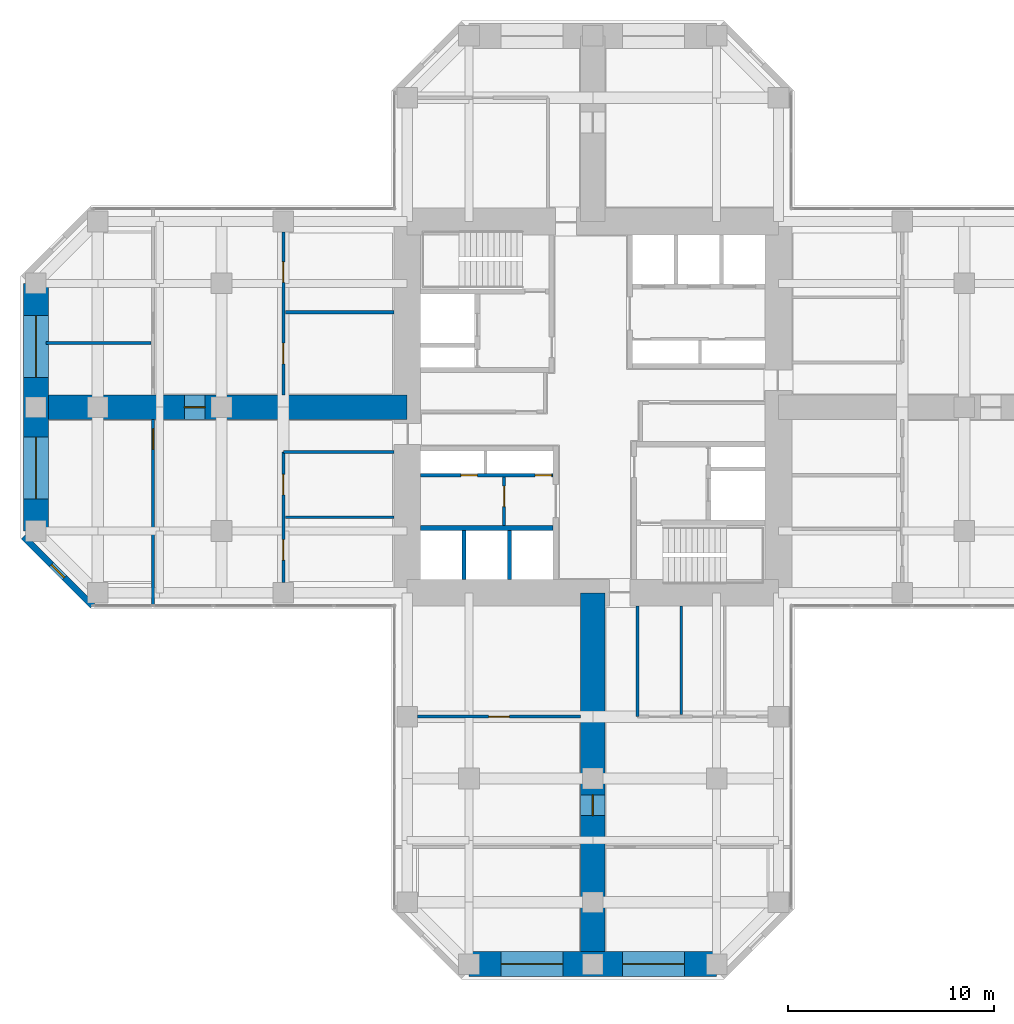
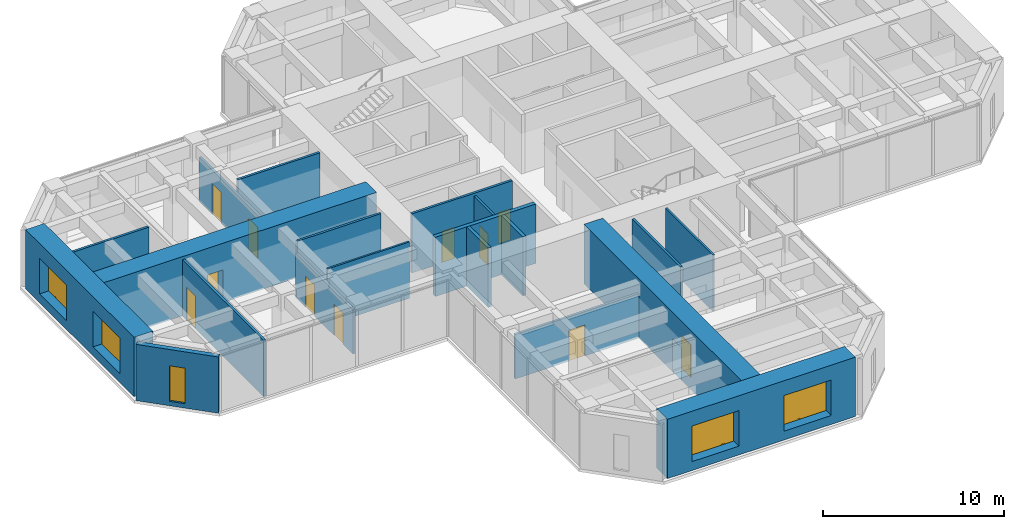
# One storey, part 8 of 13: 20 walls, 11 doors, 5 windows, 16 openings.
"""IFC4 building model written with IfcOpenShell, lengths in metres."""

from ifc_helpers import new_model, si_unit, direction, frame, frame_2d, origin, place, context, subcontext, project, spatial, rectangle, hollow_rectangle, extrude, material, layer, layer_set, constituent, constituent_set, type_object, element, fill, save


model = new_model("IFC4")

# Units and contexts
model_context = context("Model", 3, precision=1e-05, world=origin(), true_north=direction((0.0, 1.0)))
body_context = subcontext(model_context, "Body", "Model", "MODEL_VIEW")
ifc_project = project(units=[si_unit("LENGTHUNIT", "METRE"), si_unit("AREAUNIT", "SQUARE_METRE"), si_unit("VOLUMEUNIT", "CUBIC_METRE"), si_unit("PLANEANGLEUNIT", "RADIAN"), si_unit("MASSUNIT", "GRAM", prefix="KILO")], contexts=[model_context])

# Site, building, storey
site_placement = place(None, origin())
site = spatial("IfcSite", under=ifc_project, at=site_placement, CompositionType="ELEMENT")
building_placement = place(site_placement, origin())
building = spatial("IfcBuilding", under=site, at=building_placement, Name="Torre Cruceta", CompositionType="ELEMENT")
storey_placement = place(building_placement, frame((0.0, 0.0, 132.5)))
storey = spatial("IfcBuildingStorey", under=building, at=storey_placement, Name="L32", CompositionType="ELEMENT", Elevation=132.5)

# Wall
ifc_material_1 = material(Name="Concrete G60 (fck 60 MPa)", Category="concrete")
ifc_layer_1 = layer(ifc_material_1, 0.25)
ifc_layer_set_1 = layer_set([ifc_layer_1], Name="Concrete G60 (fck 60 MPa)")
wall_type_1 = type_object("IfcWallType", Name="CORE INNER WALL 250 G60", PredefinedType="SHEAR", material=ifc_layer_set_1)
wall_1_placement = place(storey_placement, frame((-1.925048828125, -5.85009765625, 0.0), z_axis=(0.0, 0.0, 1.0), x_axis=(-1.0, 0.0, 0.0)))
element("IfcWall", 1, at=wall_1_placement, inside=storey, type_object=wall_type_1, Name="CW4 L32 SW-LV", PredefinedType="SHEAR", context=body_context, shape_type="SweptSolid", body=[
    extrude(rectangle(XDim=6.425048828125, YDim=0.25, at=frame_2d((3.21240234375, 0.0))), origin(), (0.0, 0.0, 1.0), 4.0),
])

# Wall, opening, window
ifc_material_2 = material(Name="Concrete G30 (fck 30 MPa)", Category="concrete")
ifc_layer_2 = layer(ifc_material_2, 0.300048828125)
ifc_layer_set_2 = layer_set([ifc_layer_2], Name="Concrete G30 (fck 30 MPa)")
wall_type_2 = type_object("IfcWallType", Name="EXPOSED CONCRETE FACADE WALL 300", PredefinedType="SOLIDWALL", material=ifc_layer_set_2)
wall_2_placement = place(storey_placement, frame((-27.60009765625, -6.27685546875, 0.0), z_axis=(0.0, 0.0, 1.0), x_axis=(0.707106781187, -0.707106781187, 0.0)))
wall_2 = element("IfcWall", 2, at=wall_2_placement, inside=storey, type_object=wall_type_2, Name="EW1 facade wall L32 W chamfer 13", PredefinedType="SOLIDWALL", context=body_context, shape_type="SweptSolid", body=[
    extrude(rectangle(XDim=4.72802734375, YDim=0.300048828125, at=frame_2d((2.364013671875, 0.0))), origin(), (0.0, 0.0, 1.0), 3.800048828125),
])
opening_1_placement = place(wall_2_placement, frame((1.9140625, 0.0, 0.300048828125)))
opening_1 = element("IfcOpeningElement", 3, at=opening_1_placement, cuts=wall_2, Name="Opening WN5", PredefinedType="OPENING", context=body_context, shape_type="SweptSolid", body=[
    extrude(rectangle(XDim=0.89990234375, YDim=2.39990234375, at=frame_2d((0.449951171875, 1.199951171875))), frame((0.0, 0.159912109375, 0.0), z_axis=(0.0, -1.0, 0.0), x_axis=(1.0, 0.0, 0.0)), (0.0, 0.0, 1.0), 0.320068359375),
])
ifc_material_3 = material(Name="Aluminium window frame", Category="aluminium")
ifc_constituent_1 = constituent(ifc_material_3, Name="Frame")
ifc_material_4 = material(Name="Laminated insulating glass unit, low-iron clear", Category="glass")
ifc_constituent_2 = constituent(ifc_material_4, Name="Glazing")
ifc_constituent_set_1 = constituent_set(constituents=[ifc_constituent_1, ifc_constituent_2], Name="Aluminium window")
window_type_1 = type_object("IfcWindowType", Name="CHAMFER SLOT WINDOW 900X2400", PartitioningType="SINGLE_PANEL", PredefinedType="WINDOW", material=ifc_constituent_set_1)
window_1_placement = place(opening_1_placement, origin())
window_1 = element("IfcWindow", 4, at=window_1_placement, inside=storey, type_object=window_type_1, Name="WN5 L32 W 1", OverallHeight=2.39990234375, OverallWidth=0.89990234375, PartitioningType="SINGLE_PANEL", PredefinedType="WINDOW", context=body_context, shape_type="SweptSolid", body=[
    extrude(hollow_rectangle(XDim=0.89990234375, YDim=2.39990234375, WallThickness=0.06005859375, at=frame_2d((0.449951171875, 1.199951171875))), frame((0.0, 0.030029296875, 0.0), z_axis=(0.0, -1.0, 0.0), x_axis=(1.0, 0.0, 0.0)), (0.0, 0.0, 1.0), 0.06005859375),
    extrude(rectangle(XDim=0.77880859375, YDim=2.27880859375, at=frame_2d((0.449951171875, 1.199951171875))), frame((0.0, 0.030029296875, 0.0), z_axis=(0.0, -1.0, 0.0), x_axis=(1.0, 0.0, 0.0)), (0.0, 0.0, 1.0), 0.06005859375),
])
fill(opening_1, window_1)

# Walls
ifc_material_5 = material(Name="Concrete G35 (fck 35 MPa)", Category="concrete")
ifc_layer_3 = layer(ifc_material_5, 0.199951171875)
ifc_layer_set_3 = layer_set([ifc_layer_3], Name="Concrete G35 (fck 35 MPa)")
wall_type_3 = type_object("IfcWallType", Name="LIFT SHAFT WALL 200", PredefinedType="PARTITIONING", material=ifc_layer_set_3)
for number, where, z_axis, x_axis, name in (
    (5, (-4.033447265625, -5.97509765625, 0.0), (0.0, 0.0, 1.0), (0.0, -1.0, 0.0), "SW1 L32 SW-LS1"),
    (6, (-6.24169921875, -5.97509765625, 0.0), (0.0, 0.0, 1.0), (0.0, -1.0, 0.0), "SW1 L32 SW-LS2"),
):
    element("IfcWall", number, at=place(storey_placement, frame(where, z_axis=z_axis, x_axis=x_axis)), inside=storey, type_object=wall_type_3, Name=name, PredefinedType="PARTITIONING", context=body_context, shape_type="SweptSolid", body=[
        extrude(rectangle(XDim=2.375, YDim=0.199951171875, at=frame_2d((1.1875, 0.0))), origin(), (0.0, 0.0, 1.0), 4.0),
    ])

# Wall, openings, windows
ifc_material_6 = material(Name="Concrete G60 (fck 60 MPa)", Category="concrete")
ifc_layer_4 = layer(ifc_material_6, 1.199951171875)
ifc_layer_set_4 = layer_set([ifc_layer_4], Name="Concrete G60 (fck 60 MPa)")
wall_type_4 = type_object("IfcWallType", Name="NOSE WALL 1200 G60", PredefinedType="SHEAR", material=ifc_layer_set_4)
wall_3_placement = place(storey_placement, frame((-6.0, -27.0, 0.0), z_axis=(0.0, 0.0, 1.0), x_axis=(1.0, 0.0, 0.0)))
wall_3 = element("IfcWall", 7, at=wall_3_placement, inside=storey, type_object=wall_type_4, Name="NW1 nose wall L32 S", PredefinedType="SHEAR", context=body_context, shape_type="SweptSolid", body=[
    extrude(rectangle(XDim=12.0, YDim=1.199951171875, at=frame_2d((6.0, 0.0))), origin(), (0.0, 0.0, 1.0), 4.0),
])
opening_2_placement = place(wall_3_placement, frame((1.550048828125, 0.0, 0.60009765625)))
opening_2 = element("IfcOpeningElement", 8, at=opening_2_placement, cuts=wall_3, Name="Opening WN6", PredefinedType="OPENING", context=body_context, shape_type="SweptSolid", body=[
    extrude(rectangle(XDim=3.0, YDim=2.39990234375, at=frame_2d((1.5, 1.199951171875))), frame((0.0, 0.60986328125, 0.0), z_axis=(0.0, -1.0, 0.0), x_axis=(1.0, 0.0, 0.0)), (0.0, 0.0, 1.0), 1.219970703125),
])
opening_3_placement = place(wall_3_placement, frame((7.449951171875, 0.0, 0.60009765625)))
opening_3 = element("IfcOpeningElement", 9, at=opening_3_placement, cuts=wall_3, Name="Opening WN6", PredefinedType="OPENING", context=body_context, shape_type="SweptSolid", body=[
    extrude(rectangle(XDim=3.0, YDim=2.39990234375, at=frame_2d((1.5, 1.199951171875))), frame((0.0, 0.60986328125, 0.0), z_axis=(0.0, -1.0, 0.0), x_axis=(1.0, 0.0, 0.0)), (0.0, 0.0, 1.0), 1.219970703125),
])
ifc_material_7 = material(Name="Aluminium window frame", Category="aluminium")
ifc_constituent_3 = constituent(ifc_material_7, Name="Frame")
ifc_material_8 = material(Name="Laminated insulating glass unit, low-iron clear", Category="glass")
ifc_constituent_4 = constituent(ifc_material_8, Name="Glazing")
ifc_constituent_set_2 = constituent_set(constituents=[ifc_constituent_3, ifc_constituent_4], Name="Aluminium window")
window_type_2 = type_object("IfcWindowType", Name="NOSE WALL WINDOW 3000X2400", PartitioningType="SINGLE_PANEL", PredefinedType="WINDOW", material=ifc_constituent_set_2)
window_2_placement = place(opening_2_placement, origin())
window_2 = element("IfcWindow", 10, at=window_2_placement, inside=storey, type_object=window_type_2, Name="WN6 L32 S 1", OverallHeight=2.39990234375, OverallWidth=3.0, PartitioningType="SINGLE_PANEL", PredefinedType="WINDOW", context=body_context, shape_type="SweptSolid", body=[
    extrude(hollow_rectangle(XDim=3.0, YDim=2.39990234375, WallThickness=0.06005859375, at=frame_2d((1.5, 1.199951171875))), frame((0.0, 0.030029296875, 0.0), z_axis=(0.0, -1.0, 0.0), x_axis=(1.0, 0.0, 0.0)), (0.0, 0.0, 1.0), 0.06005859375),
    extrude(rectangle(XDim=2.87890625, YDim=2.27880859375, at=frame_2d((1.5, 1.199951171875))), frame((0.0, 0.030029296875, 0.0), z_axis=(0.0, -1.0, 0.0), x_axis=(1.0, 0.0, 0.0)), (0.0, 0.0, 1.0), 0.06005859375),
])
fill(opening_2, window_2)
window_3_placement = place(opening_3_placement, origin())
window_3 = element("IfcWindow", 11, at=window_3_placement, inside=storey, type_object=window_type_2, Name="WN6 L32 S 2", OverallHeight=2.39990234375, OverallWidth=3.0, PartitioningType="SINGLE_PANEL", PredefinedType="WINDOW", context=body_context, shape_type="SweptSolid", body=[
    extrude(hollow_rectangle(XDim=3.0, YDim=2.39990234375, WallThickness=0.06005859375, at=frame_2d((1.5, 1.199951171875))), frame((0.0, 0.030029296875, 0.0), z_axis=(0.0, -1.0, 0.0), x_axis=(1.0, 0.0, 0.0)), (0.0, 0.0, 1.0), 0.06005859375),
    extrude(rectangle(XDim=2.87890625, YDim=2.27880859375, at=frame_2d((1.5, 1.199951171875))), frame((0.0, 0.030029296875, 0.0), z_axis=(0.0, -1.0, 0.0), x_axis=(1.0, 0.0, 0.0)), (0.0, 0.0, 1.0), 0.06005859375),
])
fill(opening_3, window_3)

wall_4_placement = place(storey_placement, frame((-27.0, 6.0, 0.0), z_axis=(0.0, 0.0, 1.0), x_axis=(0.0, -1.0, 0.0)))
wall_4 = element("IfcWall", 12, at=wall_4_placement, inside=storey, type_object=wall_type_4, Name="NW1 nose wall L32 W", PredefinedType="SHEAR", context=body_context, shape_type="SweptSolid", body=[
    extrude(rectangle(XDim=12.0, YDim=1.199951171875, at=frame_2d((6.0, 0.0))), origin(), (0.0, 0.0, 1.0), 4.0),
])
opening_4_placement = place(wall_4_placement, frame((1.550048828125, 0.0, 0.60009765625)))
opening_4 = element("IfcOpeningElement", 13, at=opening_4_placement, cuts=wall_4, Name="Opening WN6", PredefinedType="OPENING", context=body_context, shape_type="SweptSolid", body=[
    extrude(rectangle(XDim=3.0, YDim=2.39990234375, at=frame_2d((1.5, 1.199951171875))), frame((0.0, 0.60986328125, 0.0), z_axis=(0.0, -1.0, 0.0), x_axis=(1.0, 0.0, 0.0)), (0.0, 0.0, 1.0), 1.219970703125),
])
opening_5_placement = place(wall_4_placement, frame((7.449951171875, 0.0, 0.60009765625)))
opening_5 = element("IfcOpeningElement", 14, at=opening_5_placement, cuts=wall_4, Name="Opening WN6", PredefinedType="OPENING", context=body_context, shape_type="SweptSolid", body=[
    extrude(rectangle(XDim=3.0, YDim=2.39990234375, at=frame_2d((1.5, 1.199951171875))), frame((0.0, 0.60986328125, 0.0), z_axis=(0.0, -1.0, 0.0), x_axis=(1.0, 0.0, 0.0)), (0.0, 0.0, 1.0), 1.219970703125),
])
window_4_placement = place(opening_4_placement, origin())
window_4 = element("IfcWindow", 15, at=window_4_placement, inside=storey, type_object=window_type_2, Name="WN6 L32 W 1", OverallHeight=2.39990234375, OverallWidth=3.0, PartitioningType="SINGLE_PANEL", PredefinedType="WINDOW", context=body_context, shape_type="SweptSolid", body=[
    extrude(hollow_rectangle(XDim=3.0, YDim=2.39990234375, WallThickness=0.06005859375, at=frame_2d((1.5, 1.199951171875))), frame((0.0, 0.030029296875, 0.0), z_axis=(0.0, -1.0, 0.0), x_axis=(1.0, 0.0, 0.0)), (0.0, 0.0, 1.0), 0.06005859375),
    extrude(rectangle(XDim=2.87890625, YDim=2.27880859375, at=frame_2d((1.5, 1.199951171875))), frame((0.0, 0.030029296875, 0.0), z_axis=(0.0, -1.0, 0.0), x_axis=(1.0, 0.0, 0.0)), (0.0, 0.0, 1.0), 0.06005859375),
])
fill(opening_4, window_4)
window_5_placement = place(opening_5_placement, origin())
window_5 = element("IfcWindow", 16, at=window_5_placement, inside=storey, type_object=window_type_2, Name="WN6 L32 W 2", OverallHeight=2.39990234375, OverallWidth=3.0, PartitioningType="SINGLE_PANEL", PredefinedType="WINDOW", context=body_context, shape_type="SweptSolid", body=[
    extrude(hollow_rectangle(XDim=3.0, YDim=2.39990234375, WallThickness=0.06005859375, at=frame_2d((1.5, 1.199951171875))), frame((0.0, 0.030029296875, 0.0), z_axis=(0.0, -1.0, 0.0), x_axis=(1.0, 0.0, 0.0)), (0.0, 0.0, 1.0), 0.06005859375),
    extrude(rectangle(XDim=2.87890625, YDim=2.27880859375, at=frame_2d((1.5, 1.199951171875))), frame((0.0, 0.030029296875, 0.0), z_axis=(0.0, -1.0, 0.0), x_axis=(1.0, 0.0, 0.0)), (0.0, 0.0, 1.0), 0.06005859375),
])
fill(opening_5, window_5)

# Wall, opening, door
ifc_material_9 = material(Name="Plasterboard on steel studs", Category="steel")
ifc_layer_5 = layer(ifc_material_9, 0.14990234375)
ifc_layer_set_5 = layer_set([ifc_layer_5], Name="Plasterboard on steel studs")
wall_type_5 = type_object("IfcWallType", Name="PARTITION 150", PredefinedType="PARTITIONING", material=ifc_layer_set_5)
wall_5_placement = place(storey_placement, frame((-4.300048828125, -3.375, 0.0), z_axis=(0.0, 0.0, 1.0), x_axis=(0.0, -1.0, 0.0)))
wall_5 = element("IfcWall", 17, at=wall_5_placement, inside=storey, type_object=wall_type_5, Name="PT1 L32-CORE-SW-X", PredefinedType="PARTITIONING", context=body_context, shape_type="SweptSolid", body=[
    extrude(rectangle(XDim=2.35009765625, YDim=0.14990234375, at=frame_2d((1.175048828125, 0.0))), origin(), (0.0, 0.0, 1.0), 3.800048828125),
])
opening_6_placement = place(wall_5_placement, frame((0.449951171875, 0.0, 0.0)))
opening_6 = element("IfcOpeningElement", 18, at=opening_6_placement, cuts=wall_5, Name="Opening D3", PredefinedType="OPENING", context=body_context, shape_type="SweptSolid", body=[
    extrude(rectangle(XDim=1.0, YDim=2.10009765625, at=frame_2d((0.5, 1.050048828125))), frame((0.0, 0.0849609375, 0.0), z_axis=(0.0, -1.0, 0.0), x_axis=(1.0, 0.0, 0.0)), (0.0, 0.0, 1.0), 0.169921875),
])
ifc_material_10 = material(Name="Steel DX51D", Category="steel")
ifc_constituent_5 = constituent(ifc_material_10, Name="Leaf and frame")
ifc_material_11 = material(Name="Polyester powder coating", Category="paint")
ifc_constituent_6 = constituent(ifc_material_11, Name="Finish")
ifc_constituent_set_3 = constituent_set(constituents=[ifc_constituent_5, ifc_constituent_6], Name="Steel fire door")
door_type_1 = type_object("IfcDoorType", Name="FIRE DOOR 1000X2100", OperationType="SINGLE_SWING_LEFT", PredefinedType="DOOR", material=ifc_constituent_set_3)
door_1_placement = place(opening_6_placement, origin())
door_1 = element("IfcDoor", 19, at=door_1_placement, inside=storey, type_object=door_type_1, Name="D3 L32-CORE-SW-X-D1", OperationType="SINGLE_SWING_LEFT", OverallHeight=2.10009765625, OverallWidth=1.0, PredefinedType="DOOR", context=body_context, shape_type="SweptSolid", body=[
    extrude(rectangle(XDim=1.0, YDim=2.10009765625, at=frame_2d((0.5, 1.050048828125))), frame((0.0, 0.02490234375, 0.0), z_axis=(0.0, -1.0, 0.0), x_axis=(1.0, 0.0, 0.0)), (0.0, 0.0, 1.0), 0.050048828125),
])
fill(opening_6, door_1)

# Wall
wall_6_placement = place(storey_placement, frame((2.175048828125, -9.64990234375, 0.0), z_axis=(0.0, 0.0, 1.0), x_axis=(0.0, -1.0, 0.0)))
element("IfcWall", 20, at=wall_6_placement, inside=storey, type_object=wall_type_5, Name="PT1 L32-S-BSL", PredefinedType="PARTITIONING", context=body_context, shape_type="SweptSolid", body=[
    extrude(rectangle(XDim=5.35009765625, YDim=0.14990234375, at=frame_2d((2.675048828125, 0.0))), origin(), (0.0, 0.0, 1.0), 3.800048828125),
])

# Wall, opening, door
wall_7_placement = place(storey_placement, frame((-8.5, -15.0, 0.0), z_axis=(0.0, 0.0, 1.0), x_axis=(1.0, 0.0, 0.0)))
wall_7 = element("IfcWall", 21, at=wall_7_placement, inside=storey, type_object=wall_type_5, Name="PT1 L32-S-BFR", PredefinedType="PARTITIONING", context=body_context, shape_type="SweptSolid", body=[
    extrude(rectangle(XDim=7.89990234375, YDim=0.14990234375, at=frame_2d((3.949951171875, 0.0))), origin(), (0.0, 0.0, 1.0), 3.0),
])
opening_7_placement = place(wall_7_placement, frame((3.449951171875, 0.0, 0.0)))
opening_7 = element("IfcOpeningElement", 22, at=opening_7_placement, cuts=wall_7, Name="Opening D3", PredefinedType="OPENING", context=body_context, shape_type="SweptSolid", body=[
    extrude(rectangle(XDim=1.0, YDim=2.10009765625, at=frame_2d((0.5, 1.050048828125))), frame((0.0, 0.0849609375, 0.0), z_axis=(0.0, -1.0, 0.0), x_axis=(1.0, 0.0, 0.0)), (0.0, 0.0, 1.0), 0.169921875),
])
door_2_placement = place(opening_7_placement, origin())
door_2 = element("IfcDoor", 23, at=door_2_placement, inside=storey, type_object=door_type_1, Name="D3 L32-S-BFR-D1", OperationType="SINGLE_SWING_RIGHT", OverallHeight=2.10009765625, OverallWidth=1.0, PredefinedType="DOOR", context=body_context, shape_type="SweptSolid", body=[
    extrude(rectangle(XDim=1.0, YDim=2.10009765625, at=frame_2d((0.5, 1.050048828125))), frame((0.0, 0.02490234375, 0.0), z_axis=(0.0, -1.0, 0.0), x_axis=(1.0, 0.0, 0.0)), (0.0, 0.0, 1.0), 0.050048828125),
])
fill(opening_7, door_2)

# Wall, openings, doors
wall_8_placement = place(storey_placement, frame((-15.0, -2.175048828125, 0.0), z_axis=(0.0, 0.0, 1.0), x_axis=(0.0, -1.0, 0.0)))
wall_8 = element("IfcWall", 24, at=wall_8_placement, inside=storey, type_object=wall_type_5, Name="PT1 L32-W-BFL", PredefinedType="PARTITIONING", context=body_context, shape_type="SweptSolid", body=[
    extrude(rectangle(XDim=6.324951171875, YDim=0.14990234375, at=frame_2d((3.16259765625, 0.0))), origin(), (0.0, 0.0, 1.0), 3.0),
])
opening_8_placement = place(wall_8_placement, frame((1.081298828125, 0.0, 0.0)))
opening_8 = element("IfcOpeningElement", 25, at=opening_8_placement, cuts=wall_8, Name="Opening D3", PredefinedType="OPENING", context=body_context, shape_type="SweptSolid", body=[
    extrude(rectangle(XDim=1.0, YDim=2.10009765625, at=frame_2d((0.5, 1.050048828125))), frame((0.0, 0.0849609375, 0.0), z_axis=(0.0, -1.0, 0.0), x_axis=(1.0, 0.0, 0.0)), (0.0, 0.0, 1.0), 0.169921875),
])
opening_9_placement = place(wall_8_placement, frame((4.243896484375, 0.0, 0.0)))
opening_9 = element("IfcOpeningElement", 26, at=opening_9_placement, cuts=wall_8, Name="Opening D3", PredefinedType="OPENING", context=body_context, shape_type="SweptSolid", body=[
    extrude(rectangle(XDim=1.0, YDim=2.10009765625, at=frame_2d((0.5, 1.050048828125))), frame((0.0, 0.0849609375, 0.0), z_axis=(0.0, -1.0, 0.0), x_axis=(1.0, 0.0, 0.0)), (0.0, 0.0, 1.0), 0.169921875),
])
door_3_placement = place(opening_8_placement, origin())
door_3 = element("IfcDoor", 27, at=door_3_placement, inside=storey, type_object=door_type_1, Name="D3 L32-W-BFL-D1", OperationType="SINGLE_SWING_LEFT", OverallHeight=2.10009765625, OverallWidth=1.0, PredefinedType="DOOR", context=body_context, shape_type="SweptSolid", body=[
    extrude(rectangle(XDim=1.0, YDim=2.10009765625, at=frame_2d((0.5, 1.050048828125))), frame((0.0, 0.02490234375, 0.0), z_axis=(0.0, -1.0, 0.0), x_axis=(1.0, 0.0, 0.0)), (0.0, 0.0, 1.0), 0.050048828125),
])
fill(opening_8, door_3)
door_4_placement = place(opening_9_placement, origin())
door_4 = element("IfcDoor", 28, at=door_4_placement, inside=storey, type_object=door_type_1, Name="D3 L32-W-BFL-D2", OperationType="SINGLE_SWING_LEFT", OverallHeight=2.10009765625, OverallWidth=1.0, PredefinedType="DOOR", context=body_context, shape_type="SweptSolid", body=[
    extrude(rectangle(XDim=1.0, YDim=2.10009765625, at=frame_2d((0.5, 1.050048828125))), frame((0.0, 0.02490234375, 0.0), z_axis=(0.0, -1.0, 0.0), x_axis=(1.0, 0.0, 0.0)), (0.0, 0.0, 1.0), 0.050048828125),
])
fill(opening_9, door_4)

# Wall
wall_9_placement = place(storey_placement, frame((-9.64990234375, -2.175048828125, 0.0), z_axis=(0.0, 0.0, 1.0), x_axis=(-1.0, 0.0, 0.0)))
element("IfcWall", 29, at=wall_9_placement, inside=storey, type_object=wall_type_5, Name="PT1 L32-W-BSL", PredefinedType="PARTITIONING", context=body_context, shape_type="SweptSolid", body=[
    extrude(rectangle(XDim=5.35009765625, YDim=0.14990234375, at=frame_2d((2.675048828125, 0.0))), origin(), (0.0, 0.0, 1.0), 3.800048828125),
])

# Wall, openings, doors
wall_10_placement = place(storey_placement, frame((-15.0, 8.5, 0.0), z_axis=(0.0, 0.0, 1.0), x_axis=(0.0, -1.0, 0.0)))
wall_10 = element("IfcWall", 30, at=wall_10_placement, inside=storey, type_object=wall_type_5, Name="PT1 L32-W-BFR", PredefinedType="PARTITIONING", context=body_context, shape_type="SweptSolid", body=[
    extrude(rectangle(XDim=7.89990234375, YDim=0.14990234375, at=frame_2d((3.949951171875, 0.0))), origin(), (0.0, 0.0, 1.0), 3.0),
])
opening_10_placement = place(wall_10_placement, frame((1.449951171875, 0.0, 0.0)))
opening_10 = element("IfcOpeningElement", 31, at=opening_10_placement, cuts=wall_10, Name="Opening D3", PredefinedType="OPENING", context=body_context, shape_type="SweptSolid", body=[
    extrude(rectangle(XDim=1.0, YDim=2.10009765625, at=frame_2d((0.5, 1.050048828125))), frame((0.0, 0.0849609375, 0.0), z_axis=(0.0, -1.0, 0.0), x_axis=(1.0, 0.0, 0.0)), (0.0, 0.0, 1.0), 0.169921875),
])
opening_11_placement = place(wall_10_placement, frame((5.39990234375, 0.0, 0.0)))
opening_11 = element("IfcOpeningElement", 32, at=opening_11_placement, cuts=wall_10, Name="Opening D3", PredefinedType="OPENING", context=body_context, shape_type="SweptSolid", body=[
    extrude(rectangle(XDim=1.0, YDim=2.10009765625, at=frame_2d((0.5, 1.050048828125))), frame((0.0, 0.0849609375, 0.0), z_axis=(0.0, -1.0, 0.0), x_axis=(1.0, 0.0, 0.0)), (0.0, 0.0, 1.0), 0.169921875),
])
door_5_placement = place(opening_10_placement, origin())
door_5 = element("IfcDoor", 33, at=door_5_placement, inside=storey, type_object=door_type_1, Name="D3 L32-W-BFR-D1", OperationType="SINGLE_SWING_RIGHT", OverallHeight=2.10009765625, OverallWidth=1.0, PredefinedType="DOOR", context=body_context, shape_type="SweptSolid", body=[
    extrude(rectangle(XDim=1.0, YDim=2.10009765625, at=frame_2d((0.5, 1.050048828125))), frame((0.0, 0.02490234375, 0.0), z_axis=(0.0, -1.0, 0.0), x_axis=(1.0, 0.0, 0.0)), (0.0, 0.0, 1.0), 0.050048828125),
])
fill(opening_10, door_5)
door_6_placement = place(opening_11_placement, origin())
door_6 = element("IfcDoor", 34, at=door_6_placement, inside=storey, type_object=door_type_1, Name="D3 L32-W-BFR-D2", OperationType="SINGLE_SWING_LEFT", OverallHeight=2.10009765625, OverallWidth=1.0, PredefinedType="DOOR", context=body_context, shape_type="SweptSolid", body=[
    extrude(rectangle(XDim=1.0, YDim=2.10009765625, at=frame_2d((0.5, 1.050048828125))), frame((0.0, 0.02490234375, 0.0), z_axis=(0.0, -1.0, 0.0), x_axis=(1.0, 0.0, 0.0)), (0.0, 0.0, 1.0), 0.050048828125),
])
fill(opening_11, door_6)

# Wall
wall_11_placement = place(storey_placement, frame((-9.64990234375, 4.60009765625, 0.0), z_axis=(0.0, 0.0, 1.0), x_axis=(-1.0, 0.0, 0.0)))
element("IfcWall", 35, at=wall_11_placement, inside=storey, type_object=wall_type_5, Name="PT1 L32-W-BDR1", PredefinedType="PARTITIONING", context=body_context, shape_type="SweptSolid", body=[
    extrude(rectangle(XDim=5.25, YDim=0.14990234375, at=frame_2d((2.625, 0.0))), origin(), (0.0, 0.0, 1.0), 3.800048828125),
])

# Wall, opening, door
wall_12_placement = place(storey_placement, frame((-21.320068359375, -0.60009765625, 0.0), z_axis=(0.0, 0.0, 1.0), x_axis=(0.0, -1.0, 0.0)))
wall_12 = element("IfcWall", 36, at=wall_12_placement, inside=storey, type_object=wall_type_5, Name="PT1 L32-W-TWL", PredefinedType="PARTITIONING", context=body_context, shape_type="SweptSolid", body=[
    extrude(rectangle(XDim=8.97998046875, YDim=0.14990234375, at=frame_2d((4.489990234375, 0.0))), origin(), (0.0, 0.0, 1.0), 3.800048828125),
])
opening_12_placement = place(wall_12_placement, frame((0.449951171875, 0.0, 0.0)))
opening_12 = element("IfcOpeningElement", 37, at=opening_12_placement, cuts=wall_12, Name="Opening D14", PredefinedType="OPENING", context=body_context, shape_type="SweptSolid", body=[
    extrude(rectangle(XDim=1.0, YDim=2.199951171875, at=frame_2d((0.5, 1.10009765625))), frame((0.0, 0.0849609375, 0.0), z_axis=(0.0, -1.0, 0.0), x_axis=(1.0, 0.0, 0.0)), (0.0, 0.0, 1.0), 0.169921875),
])
ifc_material_12 = material(Name="Steel DX51D", Category="steel")
ifc_constituent_7 = constituent(ifc_material_12, Name="Leaf and frame")
ifc_material_13 = material(Name="Polyester powder coating", Category="paint")
ifc_constituent_8 = constituent(ifc_material_13, Name="Finish")
ifc_material_14 = material(Name="Fire-resisting glass", Category="glass")
ifc_constituent_9 = constituent(ifc_material_14, Name="Vision panel")
ifc_constituent_set_4 = constituent_set(constituents=[ifc_constituent_7, ifc_constituent_8, ifc_constituent_9], Name="Steel fire door with vision panel")
door_type_2 = type_object("IfcDoorType", Name="FIRE DOOR VISION PANEL 1000X2200", OperationType="SINGLE_SWING_RIGHT", PredefinedType="DOOR", material=ifc_constituent_set_4)
door_7_placement = place(opening_12_placement, frame((1.0, 0.0, 0.0), z_axis=(0.0, 0.0, 1.0), x_axis=(-1.0, 0.0, 0.0)))
door_7 = element("IfcDoor", 38, at=door_7_placement, inside=storey, type_object=door_type_2, Name="D14 L32-W-TWL-D1", OperationType="SINGLE_SWING_RIGHT", OverallHeight=2.199951171875, OverallWidth=1.0, PredefinedType="DOOR", context=body_context, shape_type="SweptSolid", body=[
    extrude(rectangle(XDim=1.0, YDim=2.199951171875, at=frame_2d((0.5, 1.10009765625))), frame((0.0, 0.025146484375, 0.0), z_axis=(0.0, -1.0, 0.0), x_axis=(1.0, 0.0, 0.0)), (0.0, 0.0, 1.0), 0.050048828125),
])
fill(opening_12, door_7)

# Wall
wall_13_placement = place(storey_placement, frame((-21.419921875, 3.117919921875, 0.0), z_axis=(0.0, 0.0, 1.0), x_axis=(-1.0, 0.0, 0.0)))
element("IfcWall", 39, at=wall_13_placement, inside=storey, type_object=wall_type_5, Name="PT1 L32-W-TDR", PredefinedType="PARTITIONING", context=body_context, shape_type="SweptSolid", body=[
    extrude(rectangle(XDim=5.080078125, YDim=0.14990234375, at=frame_2d((2.5400390625, 0.0))), origin(), (0.0, 0.0, 1.0), 3.800048828125),
])

# Wall, openings, doors
ifc_material_15 = material(Name="Concrete block masonry", Category="masonry")
ifc_layer_6 = layer(ifc_material_15, 0.14990234375)
ifc_layer_set_6 = layer_set([ifc_layer_6], Name="Concrete block masonry")
wall_type_6 = type_object("IfcWallType", Name="RISER WALL 150", PredefinedType="PARTITIONING", material=ifc_layer_set_6)
wall_14_placement = place(storey_placement, frame((-1.925048828125, -3.300048828125, 0.0), z_axis=(0.0, 0.0, 1.0), x_axis=(-1.0, 0.0, 0.0)))
wall_14 = element("IfcWall", 40, at=wall_14_placement, inside=storey, type_object=wall_type_6, Name="SW7 L32 SW-RV", PredefinedType="PARTITIONING", context=body_context, shape_type="SweptSolid", body=[
    extrude(rectangle(XDim=6.425048828125, YDim=0.14990234375, at=frame_2d((3.21240234375, 0.0))), origin(), (0.0, 0.0, 1.0), 4.0),
])
opening_13_placement = place(wall_14_placement, frame((0.074951171875, 0.0, 0.0)))
opening_13 = element("IfcOpeningElement", 41, at=opening_13_placement, cuts=wall_14, Name="Opening D5", PredefinedType="OPENING", context=body_context, shape_type="SweptSolid", body=[
    extrude(rectangle(XDim=0.800048828125, YDim=2.10009765625, at=frame_2d((0.39990234375, 1.050048828125))), frame((0.0, 0.0849609375, 0.0), z_axis=(0.0, -1.0, 0.0), x_axis=(1.0, 0.0, 0.0)), (0.0, 0.0, 1.0), 0.169921875),
])
opening_14_placement = place(wall_14_placement, frame((3.675048828125, 0.0, 0.0)))
opening_14 = element("IfcOpeningElement", 42, at=opening_14_placement, cuts=wall_14, Name="Opening D5", PredefinedType="OPENING", context=body_context, shape_type="SweptSolid", body=[
    extrude(rectangle(XDim=0.800048828125, YDim=2.10009765625, at=frame_2d((0.39990234375, 1.050048828125))), frame((0.0, 0.0849609375, 0.0), z_axis=(0.0, -1.0, 0.0), x_axis=(1.0, 0.0, 0.0)), (0.0, 0.0, 1.0), 0.169921875),
])
ifc_material_16 = material(Name="Steel DX51D", Category="steel")
ifc_constituent_10 = constituent(ifc_material_16, Name="Leaf and frame")
ifc_material_17 = material(Name="Polyester powder coating", Category="paint")
ifc_constituent_11 = constituent(ifc_material_17, Name="Finish")
ifc_constituent_set_5 = constituent_set(constituents=[ifc_constituent_10, ifc_constituent_11], Name="Steel fire door")
door_type_3 = type_object("IfcDoorType", Name="RISER ACCESS DOOR 800X2100", OperationType="SINGLE_SWING_LEFT", PredefinedType="DOOR", material=ifc_constituent_set_5)
door_8_placement = place(opening_13_placement, frame((0.800048828125, 0.0, 0.0), z_axis=(0.0, 0.0, 1.0), x_axis=(-1.0, 0.0, 0.0)))
door_8 = element("IfcDoor", 43, at=door_8_placement, inside=storey, type_object=door_type_3, Name="D5 L32 SW-RISER1", OperationType="SINGLE_SWING_RIGHT", OverallHeight=2.10009765625, OverallWidth=0.800048828125, PredefinedType="DOOR", context=body_context, shape_type="SweptSolid", body=[
    extrude(rectangle(XDim=0.800048828125, YDim=2.10009765625, at=frame_2d((0.400146484375, 1.050048828125))), frame((0.0, 0.025146484375, 0.0), z_axis=(0.0, -1.0, 0.0), x_axis=(1.0, 0.0, 0.0)), (0.0, 0.0, 1.0), 0.050048828125),
])
fill(opening_13, door_8)
door_9_placement = place(opening_14_placement, frame((0.800048828125, 0.0, 0.0), z_axis=(0.0, 0.0, 1.0), x_axis=(-1.0, 0.0, 0.0)))
door_9 = element("IfcDoor", 44, at=door_9_placement, inside=storey, type_object=door_type_3, Name="D5 L32 SW-RISER2", OperationType="SINGLE_SWING_RIGHT", OverallHeight=2.10009765625, OverallWidth=0.800048828125, PredefinedType="DOOR", context=body_context, shape_type="SweptSolid", body=[
    extrude(rectangle(XDim=0.800048828125, YDim=2.10009765625, at=frame_2d((0.400146484375, 1.050048828125))), frame((0.0, 0.025146484375, 0.0), z_axis=(0.0, -1.0, 0.0), x_axis=(1.0, 0.0, 0.0)), (0.0, 0.0, 1.0), 0.050048828125),
])
fill(opening_14, door_9)

# Wall, opening, door
ifc_material_18 = material(Name="Concrete G60 (fck 60 MPa)", Category="concrete")
ifc_layer_7 = layer(ifc_material_18, 1.199951171875)
ifc_layer_set_7 = layer_set([ifc_layer_7], Name="Concrete G60 (fck 60 MPa)")
wall_type_7 = type_object("IfcWallType", Name="SPINE WALL 1200 G60", PredefinedType="SHEAR", material=ifc_layer_set_7)
wall_15_placement = place(storey_placement, frame((0.0, -9.0, 0.0), z_axis=(0.0, 0.0, 1.0), x_axis=(0.0, -1.0, 0.0)))
wall_15 = element("IfcWall", 45, at=wall_15_placement, inside=storey, type_object=wall_type_7, Name="SW3 spine wall L32 S", PredefinedType="SHEAR", context=body_context, shape_type="SweptSolid", body=[
    extrude(rectangle(XDim=18.0, YDim=1.199951171875, at=frame_2d((9.0, 0.0))), origin(), (0.0, 0.0, 1.0), 4.0),
])
opening_15_placement = place(wall_15_placement, frame((9.800048828125, 0.0, 0.0)))
opening_15 = element("IfcOpeningElement", 46, at=opening_15_placement, cuts=wall_15, Name="Opening D14", PredefinedType="OPENING", context=body_context, shape_type="SweptSolid", body=[
    extrude(rectangle(XDim=1.0, YDim=2.199951171875, at=frame_2d((0.5, 1.10009765625))), frame((0.0, 0.60986328125, 0.0), z_axis=(0.0, -1.0, 0.0), x_axis=(1.0, 0.0, 0.0)), (0.0, 0.0, 1.0), 1.219970703125),
])
door_10_placement = place(opening_15_placement, frame((1.0, 0.0, 0.0), z_axis=(0.0, 0.0, 1.0), x_axis=(-1.0, 0.0, 0.0)))
door_10 = element("IfcDoor", 47, at=door_10_placement, inside=storey, type_object=door_type_2, Name="D14 L32-S-SP1", OperationType="SINGLE_SWING_LEFT", OverallHeight=2.199951171875, OverallWidth=1.0, PredefinedType="DOOR", context=body_context, shape_type="SweptSolid", body=[
    extrude(rectangle(XDim=1.0, YDim=2.199951171875, at=frame_2d((0.5, 1.10009765625))), frame((0.0, 0.025146484375, 0.0), z_axis=(0.0, -1.0, 0.0), x_axis=(1.0, 0.0, 0.0)), (0.0, 0.0, 1.0), 0.050048828125),
])
fill(opening_15, door_10)

wall_16_placement = place(storey_placement, frame((-9.0, 0.0, 0.0), z_axis=(0.0, 0.0, 1.0), x_axis=(-1.0, 0.0, 0.0)))
wall_16 = element("IfcWall", 48, at=wall_16_placement, inside=storey, type_object=wall_type_7, Name="SW3 spine wall L32 W", PredefinedType="SHEAR", context=body_context, shape_type="SweptSolid", body=[
    extrude(rectangle(XDim=18.0, YDim=1.199951171875, at=frame_2d((9.0, 0.0))), origin(), (0.0, 0.0, 1.0), 4.0),
])
opening_16_placement = place(wall_16_placement, frame((9.800048828125, 0.0, 0.0)))
opening_16 = element("IfcOpeningElement", 49, at=opening_16_placement, cuts=wall_16, Name="Opening D14", PredefinedType="OPENING", context=body_context, shape_type="SweptSolid", body=[
    extrude(rectangle(XDim=1.0, YDim=2.199951171875, at=frame_2d((0.5, 1.10009765625))), frame((0.0, 0.60986328125, 0.0), z_axis=(0.0, -1.0, 0.0), x_axis=(1.0, 0.0, 0.0)), (0.0, 0.0, 1.0), 1.219970703125),
])
door_11_placement = place(opening_16_placement, frame((1.0, 0.0, 0.0), z_axis=(0.0, 0.0, 1.0), x_axis=(-1.0, 0.0, 0.0)))
door_11 = element("IfcDoor", 50, at=door_11_placement, inside=storey, type_object=door_type_2, Name="D14 L32-W-SP1", OperationType="SINGLE_SWING_LEFT", OverallHeight=2.199951171875, OverallWidth=1.0, PredefinedType="DOOR", context=body_context, shape_type="SweptSolid", body=[
    extrude(rectangle(XDim=1.0, YDim=2.199951171875, at=frame_2d((0.5, 1.10009765625))), frame((0.0, 0.025146484375, 0.0), z_axis=(0.0, -1.0, 0.0), x_axis=(1.0, 0.0, 0.0)), (0.0, 0.0, 1.0), 0.050048828125),
])
fill(opening_16, door_11)

# Walls
ifc_material_19 = material(Name="Plasterboard on steel studs", Category="steel")
ifc_layer_8 = layer(ifc_material_19, 0.1201171875)
ifc_layer_set_8 = layer_set([ifc_layer_8], Name="Plasterboard on steel studs")
wall_type_8 = type_object("IfcWallType", Name="WC PARTITION 120", PredefinedType="PLUMBINGWALL", material=ifc_layer_set_8)
for number, where, z_axis, x_axis, name in (
    (51, (4.283447265625, -9.64990234375, 0.0), (0.0, 0.0, 1.0), (0.0, -1.0, 0.0), "PT5 L32-S-BDL1"),
    (52, (-9.64990234375, -5.33740234375, 0.0), (0.0, 0.0, 1.0), (-1.0, 0.0, 0.0), "PT5 L32-W-BDL1"),
):
    element("IfcWall", number, at=place(storey_placement, frame(where, z_axis=z_axis, x_axis=x_axis)), inside=storey, type_object=wall_type_8, Name=name, PredefinedType="PLUMBINGWALL", context=body_context, shape_type="SweptSolid", body=[
        extrude(rectangle(XDim=5.25, YDim=0.1201171875, at=frame_2d((2.625, 0.0))), origin(), (0.0, 0.0, 1.0), 3.800048828125),
    ])

save(model, "model.ifc")
